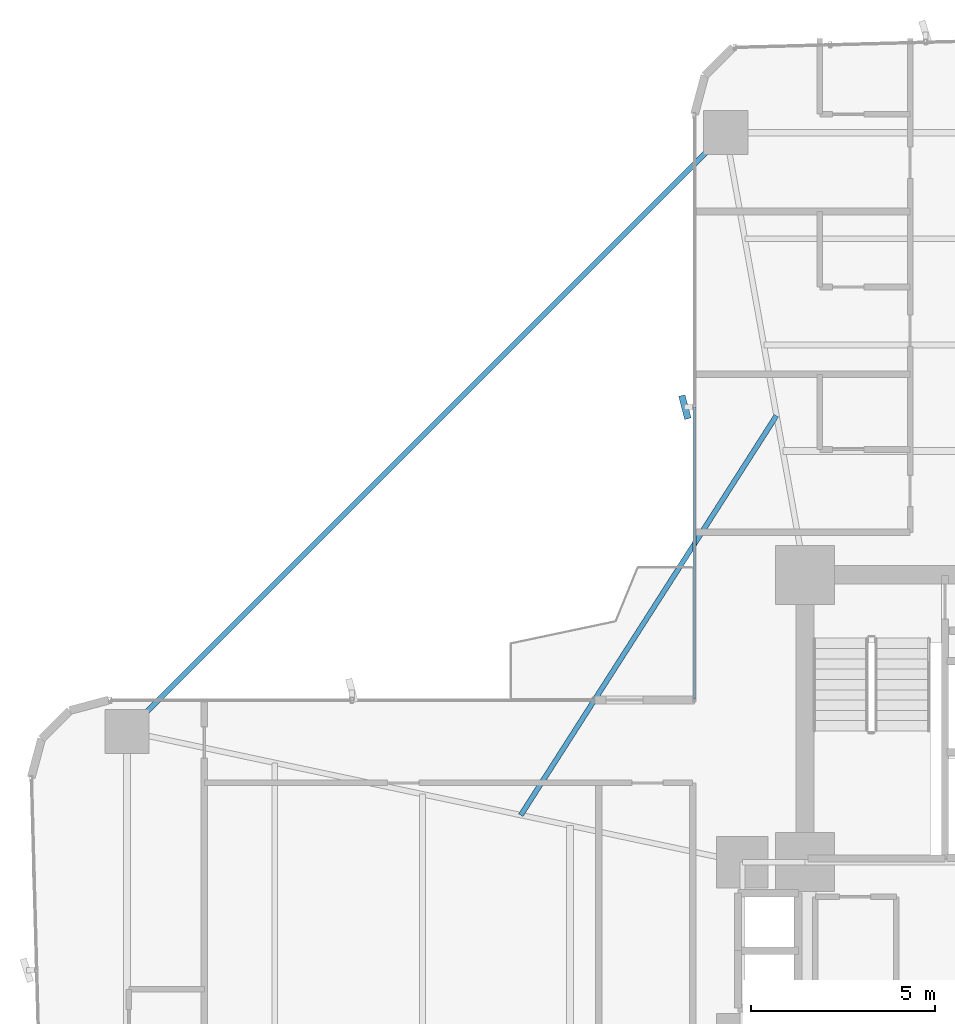
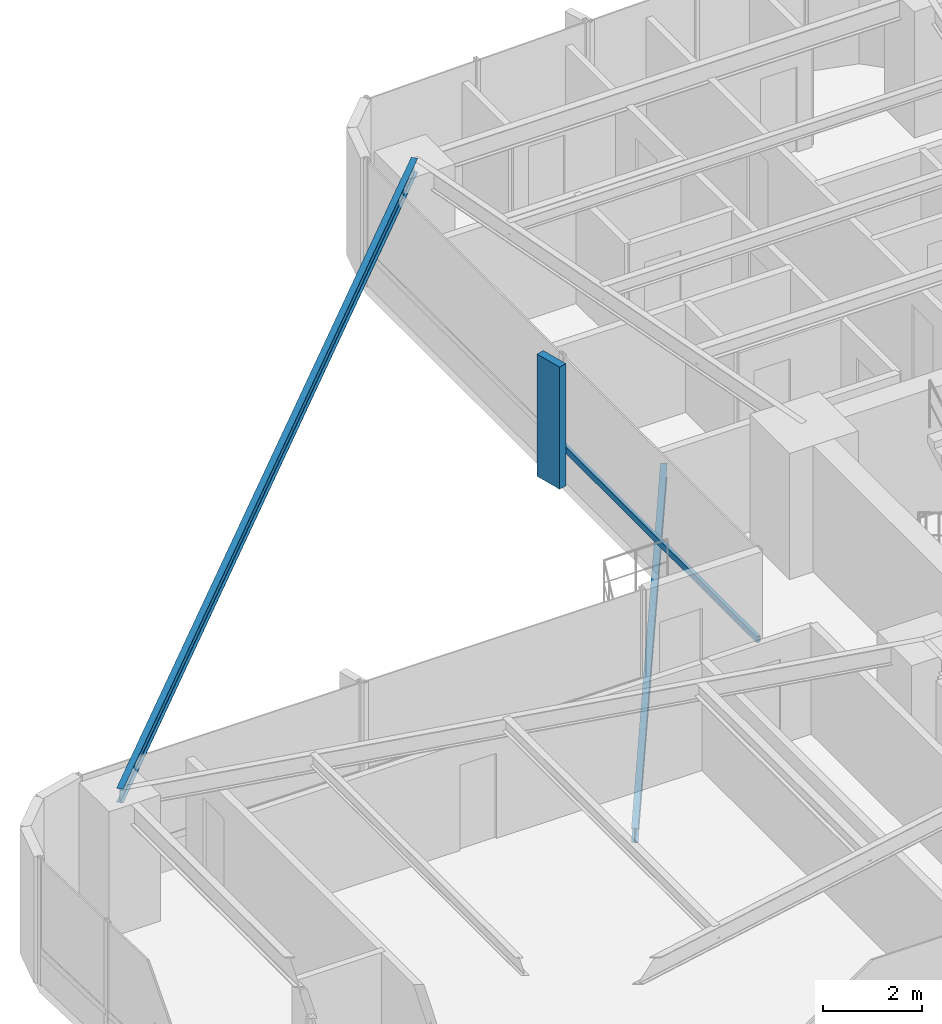
# One storey, part 17 of 26: 2 beams, 2 members, 1 element without a shape of its own.
"""IFC4 building model written with IfcOpenShell, lengths in metres."""

from ifc_helpers import new_model, si_unit, direction, frame, origin, origin_2d, place, context, subcontext, project, spatial, rectangle, hollow_rectangle, i_section, extrude, source, transform, mapped, material, material_profile, profile_set, type_object, element, aggregate, save


model = new_model("IFC4")

# Units and contexts
model_context = context("Model", 3, precision=1e-05, world=origin(), true_north=direction((0.0, 1.0)))
body_context = subcontext(model_context, "Body", "Model", "MODEL_VIEW")
ifc_project = project(units=[si_unit("LENGTHUNIT", "METRE"), si_unit("AREAUNIT", "SQUARE_METRE"), si_unit("VOLUMEUNIT", "CUBIC_METRE"), si_unit("PLANEANGLEUNIT", "RADIAN"), si_unit("MASSUNIT", "GRAM", prefix="KILO")], contexts=[model_context])

# Site, building, storey
site_placement = place(None, origin())
site = spatial("IfcSite", under=ifc_project, at=site_placement, CompositionType="ELEMENT")
building_placement = place(site_placement, origin())
building = spatial("IfcBuilding", under=site, at=building_placement, Name="Sahyath Konkavel Grand Hotel", CompositionType="ELEMENT")
storey_placement = place(building_placement, frame((0.0, 0.0, 61.10009765625)))
storey = spatial("IfcBuildingStorey", under=building, at=storey_placement, Name="L16", CompositionType="ELEMENT", Elevation=61.10009765625)

# Beam
ifc_material_1 = material(Name="Steel E350", Category="steel")
ifc_material_profile_1 = material_profile(ifc_material_1, i_section(OverallWidth=0.139892578125, OverallDepth=0.35009765625, WebThickness=0.008056640625, FlangeThickness=0.01416015625, FilletRadius=0.013916015625, at=origin_2d()), Name="ISMB 350")
ifc_profile_set_1 = profile_set([ifc_material_profile_1], Name="Steel E350")
beam_type_1 = type_object("IfcBeamType", Name="BM-ISMB350", PredefinedType="BEAM", material=ifc_profile_set_1)
shared_shape_1 = source(origin(), body_context, "Body", "SweptSolid", [
    extrude(i_section(OverallWidth=0.139892578125, OverallDepth=0.35009765625, WebThickness=0.008056640625, FlangeThickness=0.01416015625, FilletRadius=0.013916015625, at=origin_2d()), origin(), (0.0, 0.0, 1.0), 22.98095703125),
])
beam_1_placement = place(storey_placement, frame((-5.949951171875, 22.199951171875, 2.934814453125), z_axis=(-0.707106781187, -0.707106781187, 0.0), x_axis=(0.707106781187, -0.707106781187, 0.0)))
element("IfcBeam", 1, at=beam_1_placement, inside=storey, type_object=beam_type_1, Name="L16 Re-Entrant Tie Beam NW", PredefinedType="BEAM", context=body_context, shape_type="MappedRepresentation", body=[
    mapped(shared_shape_1, transform((0.0, 0.0, 0.0), scale=1.0)),
])

# Curtain wall, members
ifc_material_2 = material(Name="Anodised Bronze Aluminium & Low-E Glazing", Category="aluminium")
curtain_wall_type = type_object("IfcCurtainWallType", Name="CW-ZONE1", PredefinedType="NOTDEFINED", material=ifc_material_2)
curtain_wall_placement = place(storey_placement, origin())
curtain_wall = element("IfcCurtainWall", 2, at=curtain_wall_placement, inside=storey, type_object=curtain_wall_type, Name="L16 Unitised Curtain Wall F15", PredefinedType="NOTDEFINED")
ifc_material_3 = material(Name="Warm Buff Sandstone Cladding on Concrete C50/60", Category="masonry")
ifc_material_profile_2 = material_profile(ifc_material_3, rectangle(XDim=0.179931640625, YDim=0.64990234375, at=origin_2d()), Name="FIN 180x650")
ifc_profile_set_2 = profile_set([ifc_material_profile_2], Name="Warm Buff Sandstone Cladding on Concrete C50/60")
member_type_1 = type_object("IfcMemberType", Name="FIN-SANDSTONE-650", PredefinedType="MULLION", material=ifc_profile_set_2)
shared_shape_2 = source(origin(), body_context, "Body", "SweptSolid", [
    extrude(rectangle(XDim=0.179931640625, YDim=0.64990234375, at=origin_2d()), origin(), (0.0, 0.0, 1.0), 3.010009765625),
])
member_1_placement = place(storey_placement, frame((-7.06005859375, 14.75, 0.0498046875), z_axis=(0.0, 0.0, 1.0), x_axis=(0.967134752842, 0.254264369988, 0.0)))
member_1 = element("IfcMember", 3, at=member_1_placement, type_object=member_type_1, Name="L16 Sandstone Vertical Solar Fin FIN F15-1", PredefinedType="MULLION", context=body_context, shape_type="MappedRepresentation", body=[
    mapped(shared_shape_2, transform((0.0, 0.0, 0.0), scale=1.0)),
])
ifc_material_4 = material(Name="Anodised Bronze Aluminium", Category="aluminium")
ifc_material_profile_3 = material_profile(ifc_material_4, hollow_rectangle(XDim=0.080078125, YDim=0.159912109375, WallThickness=0.006103515625, at=origin_2d()), Name="RHS 160x80x6")
ifc_profile_set_3 = profile_set([ifc_material_profile_3], Name="Anodised Bronze Aluminium")
member_type_2 = type_object("IfcMemberType", Name="CW-TRN-160", PredefinedType="USERDEFINED", material=ifc_profile_set_3)
shared_shape_3 = source(origin(), body_context, "Body", "SweptSolid", [
    extrude(hollow_rectangle(XDim=0.080078125, YDim=0.159912109375, WallThickness=0.006103515625, at=origin_2d()), origin(), (0.0, 0.0, 1.0), 7.909912109375),
])
member_2_placement = place(storey_placement, frame((-6.800048828125, 14.75, 0.849853515625), z_axis=(0.0, -1.0, 0.0), x_axis=(1.0, 0.0, 0.0)))
member_2 = element("IfcMember", 4, at=member_2_placement, type_object=member_type_2, Name="L16 Curtain Wall Transom F15-1-spandrel", ObjectType="TRANSOM", PredefinedType="USERDEFINED", context=body_context, shape_type="MappedRepresentation", body=[
    mapped(shared_shape_3, transform((0.0, 0.0, 0.0), scale=1.0)),
])
aggregate(curtain_wall, [member_1, member_2])

# Beam
ifc_material_profile_4 = material_profile(ifc_material_1, i_section(OverallWidth=0.139892578125, OverallDepth=0.35009765625, WebThickness=0.008056640625, FlangeThickness=0.01416015625, FilletRadius=0.013916015625, at=origin_2d()), Name="ISMB 350")
ifc_profile_set_4 = profile_set([ifc_material_profile_4], Name="Steel E350")
beam_type_2 = type_object("IfcBeamType", Name="BM-BALC-CANT", PredefinedType="BEAM", material=ifc_profile_set_4)
shared_shape_4 = source(origin(), body_context, "Body", "SweptSolid", [
    extrude(i_section(OverallWidth=0.139892578125, OverallDepth=0.35009765625, WebThickness=0.008056640625, FlangeThickness=0.01416015625, FilletRadius=0.013916015625, at=origin_2d()), origin(), (0.0, 0.0, 1.0), 12.871826171875),
])
beam_2_placement = place(storey_placement, frame((-4.573974609375, 14.52001953125, -0.4150390625), z_axis=(-0.539003102535, -0.842303778608, 0.0), x_axis=(0.842303778608, -0.539003102535, 0.0)))
element("IfcBeam", 5, at=beam_2_placement, inside=storey, type_object=beam_type_2, Name="L16 Balcony Cantilever Support Beam NW", PredefinedType="BEAM", context=body_context, shape_type="MappedRepresentation", body=[
    mapped(shared_shape_4, transform((0.0, 0.0, 0.0), scale=1.0)),
])

save(model, "model.ifc")
